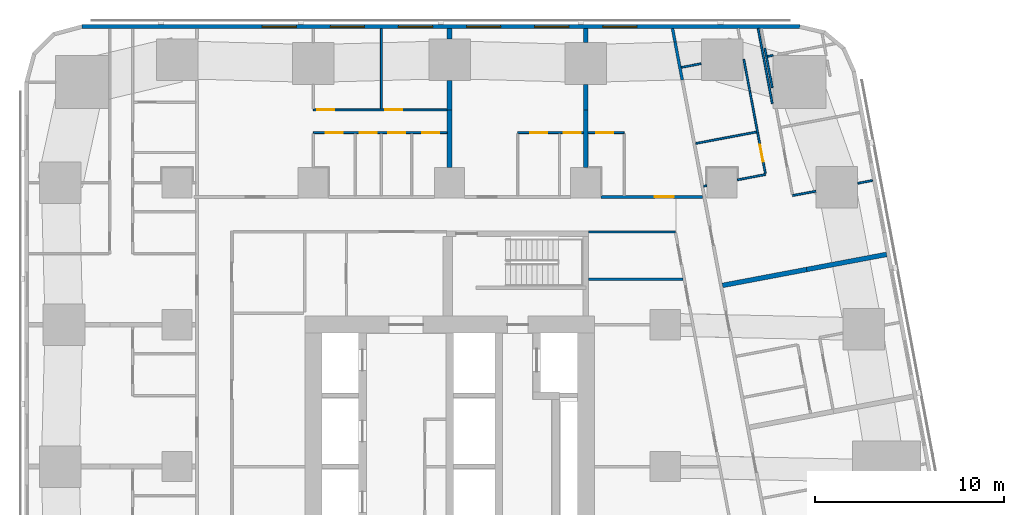
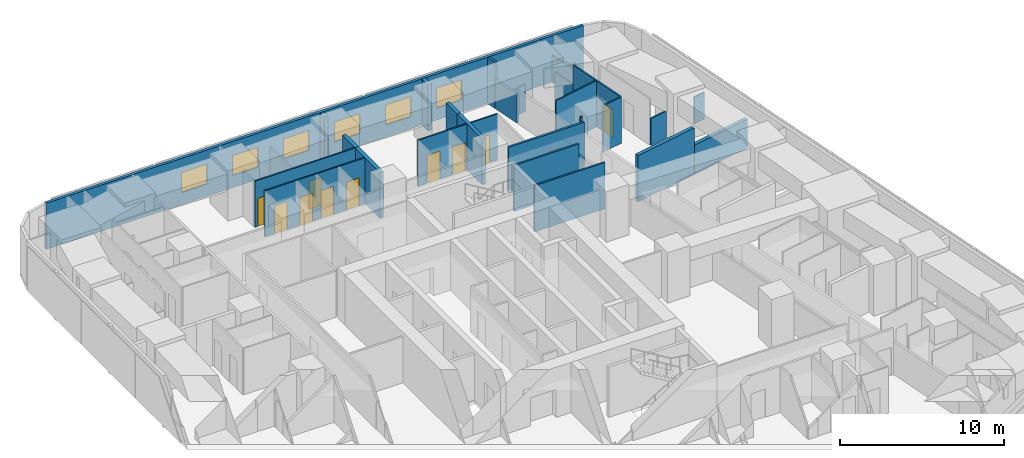
# One storey, part 9 of 14: 30 walls, 11 doors, 6 windows, 17 openings.
"""IFC4 building model written with IfcOpenShell, lengths in metres."""

from ifc_helpers import new_model, si_unit, direction, frame, frame_2d, origin, place, context, subcontext, project, spatial, rectangle, extrude, material, layer, layer_set, type_object, element, fill, save


model = new_model("IFC4")

# Units and contexts
model_context = context("Model", 3, precision=1e-05, world=origin(), true_north=direction((0.0, 1.0)))
body_context = subcontext(model_context, "Body", "Model", "MODEL_VIEW")
ifc_project = project(units=[si_unit("LENGTHUNIT", "METRE"), si_unit("AREAUNIT", "SQUARE_METRE"), si_unit("VOLUMEUNIT", "CUBIC_METRE"), si_unit("PLANEANGLEUNIT", "RADIAN"), si_unit("MASSUNIT", "GRAM", prefix="KILO")], contexts=[model_context])

# Site, building, storey
site_placement = place(None, origin())
site = spatial("IfcSite", under=ifc_project, at=site_placement, CompositionType="ELEMENT")
building_placement = place(site_placement, origin())
building = spatial("IfcBuilding", under=site, at=building_placement, Name="Sheger Commons Tower", CompositionType="ELEMENT")
storey_placement = place(building_placement, frame((0.0, 0.0, 126.64990234375)))
storey = spatial("IfcBuildingStorey", under=building, at=storey_placement, Name="L32", CompositionType="ELEMENT", Elevation=126.64990234375)

# Wall, opening, door
ifc_material_1 = material(Name="Hollow concrete block masonry, skimmed both sides", Category="masonry")
ifc_layer_1 = layer(ifc_material_1, 0.14990234375)
ifc_layer_set_1 = layer_set([ifc_layer_1], Name="CORRIDOR WALL 150")
wall_type_1 = type_object("IfcWallType", Name="CORRIDOR WALL 150", PredefinedType="SOLIDWALL", material=ifc_layer_set_1)
wall_1_placement = place(storey_placement, frame((29.60107421875, 36.75, 0.0), z_axis=(0.0, 0.0, 1.0), x_axis=(1.0, 0.0, 0.0)))
wall_1 = element("IfcWall", 1, at=wall_1_placement, inside=storey, type_object=wall_type_1, Name="Corridor wall L32", PredefinedType="SOLIDWALL", context=body_context, shape_type="SweptSolid", body=[
    extrude(rectangle(XDim=5.371826171875, YDim=0.14990234375, at=frame_2d((2.68603515625, 0.0))), origin(), (0.0, 0.0, 1.0), 3.4501953125),
])
opening_1_placement = place(wall_1_placement, frame((2.844970703125, 0.0, 0.0)))
opening_1 = element("IfcOpeningElement", 2, at=opening_1_placement, cuts=wall_1, Name="Opening D1", PredefinedType="OPENING", context=body_context, shape_type="SweptSolid", body=[
    extrude(rectangle(XDim=1.0, YDim=2.10009765625, at=frame_2d((0.5, 1.050048828125))), frame((0.0, 0.0849609375, 0.0), z_axis=(0.0, -1.0, 0.0), x_axis=(1.0, 0.0, 0.0)), (0.0, 0.0, 1.0), 0.169921875),
])
ifc_material_2 = material(Name="Steel door set, fire rated", Category="steel")
door_type_1 = type_object("IfcDoorType", Name="FLAT ENTRANCE DOOR 1000x2100", OperationType="NOTDEFINED", PredefinedType="DOOR", material=ifc_material_2)
door_1_placement = place(opening_1_placement, origin())
door_1 = element("IfcDoor", 3, at=door_1_placement, inside=storey, type_object=door_type_1, Name="Flat entrance door", OperationType="SINGLE_SWING_RIGHT", OverallHeight=2.10009765625, OverallWidth=1.0, PredefinedType="DOOR", context=body_context, shape_type="SweptSolid", body=[
    extrude(rectangle(XDim=1.0, YDim=2.10009765625, at=frame_2d((0.5, 1.050048828125))), frame((0.0, 0.02490234375, 0.0), z_axis=(0.0, -1.0, 0.0), x_axis=(1.0, 0.0, 0.0)), (0.0, 0.0, 1.0), 0.050048828125),
])
fill(opening_1, door_1)

# Walls
wall_2_placement = place(storey_placement, frame((33.382080078125, 45.64990234375, 0.0), z_axis=(0.0, 0.0, 1.0), x_axis=(0.18467796357, -0.98279908922, 0.0)))
element("IfcWall", 4, at=wall_2_placement, inside=storey, type_object=wall_type_1, Name="Corridor wall L32", PredefinedType="SOLIDWALL", context=body_context, shape_type="SweptSolid", body=[
    extrude(rectangle(XDim=0.71923828125, YDim=0.14990234375, at=frame_2d((0.359619140625, 0.0))), origin(), (0.0, 0.0, 1.0), 3.4501953125),
])
wall_3_placement = place(storey_placement, frame((33.514892578125, 44.943115234375, 0.0), z_axis=(0.0, 0.0, 1.0), x_axis=(0.185913421671, -0.982566129908, 0.0)))
element("IfcWall", 5, at=wall_3_placement, inside=storey, type_object=wall_type_1, Name="Corridor wall L32", PredefinedType="SOLIDWALL", context=body_context, shape_type="SweptSolid", body=[
    extrude(rectangle(XDim=2.0498046875, YDim=0.14990234375, at=frame_2d((1.02490234375, 0.0))), origin(), (0.0, 0.0, 1.0), 2.150146484375),
])
ifc_material_3 = material(Name="Dense concrete block masonry, plastered both sides (separating wall between flats)", Category="masonry")
ifc_layer_2 = layer(ifc_material_3, 0.25)
ifc_layer_set_2 = layer_set([ifc_layer_2], Name="DEMISING WALL 250")
wall_type_2 = type_object("IfcWallType", Name="DEMISING WALL 250", PredefinedType="SOLIDWALL", material=ifc_layer_set_2)
wall_4_placement = place(storey_placement, frame((44.693115234375, 33.712890625, 0.0), z_axis=(0.0, 0.0, 1.0), x_axis=(-0.982633535512, -0.185556823879, 0.0)))
element("IfcWall", 6, at=wall_4_placement, inside=storey, type_object=wall_type_2, Name="Demising wall L32", PredefinedType="SOLIDWALL", context=body_context, shape_type="SweptSolid", body=[
    extrude(rectangle(XDim=4.2998046875, YDim=0.25, at=frame_2d((2.14990234375, 0.0))), origin(), (0.0, 0.0, 1.0), 2.150146484375),
])
wall_5_placement = place(storey_placement, frame((40.468017578125, 32.9150390625, 0.0), z_axis=(0.0, 0.0, 1.0), x_axis=(-0.982612837616, -0.185666398014, 0.0)))
element("IfcWall", 7, at=wall_5_placement, inside=storey, type_object=wall_type_2, Name="Demising wall L32", PredefinedType="SOLIDWALL", context=body_context, shape_type="SweptSolid", body=[
    extrude(rectangle(XDim=4.524658203125, YDim=0.25, at=frame_2d((2.26220703125, 0.0))), origin(), (0.0, 0.0, 1.0), 3.4501953125),
])
wall_6_placement = place(storey_placement, frame((21.60009765625, 41.35009765625, 0.0), z_axis=(0.0, 0.0, 1.0), x_axis=(0.0, 1.0, 0.0)))
element("IfcWall", 8, at=wall_6_placement, inside=storey, type_object=wall_type_2, Name="Demising wall L32", PredefinedType="SOLIDWALL", context=body_context, shape_type="SweptSolid", body=[
    extrude(rectangle(XDim=1.548828125, YDim=0.25, at=frame_2d((0.7744140625, 0.0))), origin(), (0.0, 0.0, 1.0), 3.4501953125),
])
wall_7_placement = place(storey_placement, frame((21.60009765625, 45.10107421875, 0.0), z_axis=(0.0, 0.0, 1.0), x_axis=(0.0, 1.0, 0.0)))
element("IfcWall", 9, at=wall_7_placement, inside=storey, type_object=wall_type_2, Name="Demising wall L32", PredefinedType="SOLIDWALL", context=body_context, shape_type="SweptSolid", body=[
    extrude(rectangle(XDim=0.548828125, YDim=0.25, at=frame_2d((0.2744140625, 0.0))), origin(), (0.0, 0.0, 1.0), 3.4501953125),
])
wall_8_placement = place(storey_placement, frame((21.60009765625, 38.301025390625, 0.0), z_axis=(0.0, 0.0, 1.0), x_axis=(0.0, 1.0, 0.0)))
element("IfcWall", 10, at=wall_8_placement, inside=storey, type_object=wall_type_2, Name="Demising wall L32", PredefinedType="SOLIDWALL", context=body_context, shape_type="SweptSolid", body=[
    extrude(rectangle(XDim=3.049072265625, YDim=0.25, at=frame_2d((1.5244140625, 0.0))), origin(), (0.0, 0.0, 1.0), 3.4501953125),
])
wall_9_placement = place(storey_placement, frame((28.800048828125, 41.35009765625, 0.0), z_axis=(0.0, 0.0, 1.0), x_axis=(0.0, 1.0, 0.0)))
element("IfcWall", 11, at=wall_9_placement, inside=storey, type_object=wall_type_2, Name="Demising wall L32", PredefinedType="SOLIDWALL", context=body_context, shape_type="SweptSolid", body=[
    extrude(rectangle(XDim=1.348876953125, YDim=0.25, at=frame_2d((0.67431640625, 0.0))), origin(), (0.0, 0.0, 1.0), 3.4501953125),
])
wall_10_placement = place(storey_placement, frame((28.800048828125, 44.90087890625, 0.0), z_axis=(0.0, 0.0, 1.0), x_axis=(0.0, 1.0, 0.0)))
element("IfcWall", 12, at=wall_10_placement, inside=storey, type_object=wall_type_2, Name="Demising wall L32", PredefinedType="SOLIDWALL", context=body_context, shape_type="SweptSolid", body=[
    extrude(rectangle(XDim=0.7490234375, YDim=0.25, at=frame_2d((0.37451171875, 0.0))), origin(), (0.0, 0.0, 1.0), 3.4501953125),
])
wall_11_placement = place(storey_placement, frame((28.800048828125, 38.301025390625, 0.0), z_axis=(0.0, 0.0, 1.0), x_axis=(0.0, 1.0, 0.0)))
element("IfcWall", 13, at=wall_11_placement, inside=storey, type_object=wall_type_2, Name="Demising wall L32", PredefinedType="SOLIDWALL", context=body_context, shape_type="SweptSolid", body=[
    extrude(rectangle(XDim=3.049072265625, YDim=0.25, at=frame_2d((1.5244140625, 0.0))), origin(), (0.0, 0.0, 1.0), 3.4501953125),
])

# Wall, openings, windows
ifc_material_4 = material(Name="Rendered concrete block masonry, dark grey", Category="masonry")
ifc_layer_3 = layer(ifc_material_4, 0.199951171875)
ifc_layer_set_3 = layer_set([ifc_layer_3], Name="FACADE WALL 200")
wall_type_3 = type_object("IfcWallType", Name="FACADE WALL 200", PredefinedType="SOLIDWALL", material=ifc_layer_set_3)
wall_12_placement = place(storey_placement, frame((40.10595703125, 45.75, 0.0), z_axis=(0.0, 0.0, 1.0), x_axis=(-1.0, 0.0, 0.0)))
wall_12 = element("IfcWall", 14, at=wall_12_placement, inside=storey, type_object=wall_type_3, Name="Facade wall L32", PredefinedType="SOLIDWALL", context=body_context, shape_type="SweptSolid", body=[
    extrude(rectangle(XDim=37.94287109375, YDim=0.199951171875, at=frame_2d((18.971435546875, 0.0))), origin(), (0.0, 0.0, 1.0), 3.4501953125),
])
opening_2_placement = place(wall_12_placement, frame((8.60595703125, 0.0, 0.89990234375)))
opening_2 = element("IfcOpeningElement", 15, at=opening_2_placement, cuts=wall_12, Name="Opening W2", PredefinedType="OPENING", context=body_context, shape_type="SweptSolid", body=[
    extrude(rectangle(XDim=1.800048828125, YDim=1.5, at=frame_2d((0.89990234375, 0.75))), frame((0.0, 0.10986328125, 0.0), z_axis=(0.0, -1.0, 0.0), x_axis=(1.0, 0.0, 0.0)), (0.0, 0.0, 1.0), 0.219970703125),
])
opening_3_placement = place(wall_12_placement, frame((12.2060546875, 0.0, 0.89990234375)))
opening_3 = element("IfcOpeningElement", 16, at=opening_3_placement, cuts=wall_12, Name="Opening W2", PredefinedType="OPENING", context=body_context, shape_type="SweptSolid", body=[
    extrude(rectangle(XDim=1.800048828125, YDim=1.5, at=frame_2d((0.89990234375, 0.75))), frame((0.0, 0.10986328125, 0.0), z_axis=(0.0, -1.0, 0.0), x_axis=(1.0, 0.0, 0.0)), (0.0, 0.0, 1.0), 0.219970703125),
])
opening_4_placement = place(wall_12_placement, frame((15.805908203125, 0.0, 0.89990234375)))
opening_4 = element("IfcOpeningElement", 17, at=opening_4_placement, cuts=wall_12, Name="Opening W2", PredefinedType="OPENING", context=body_context, shape_type="SweptSolid", body=[
    extrude(rectangle(XDim=1.800048828125, YDim=1.5, at=frame_2d((0.89990234375, 0.75))), frame((0.0, 0.10986328125, 0.0), z_axis=(0.0, -1.0, 0.0), x_axis=(1.0, 0.0, 0.0)), (0.0, 0.0, 1.0), 0.219970703125),
])
opening_5_placement = place(wall_12_placement, frame((19.406005859375, 0.0, 0.89990234375)))
opening_5 = element("IfcOpeningElement", 18, at=opening_5_placement, cuts=wall_12, Name="Opening W2", PredefinedType="OPENING", context=body_context, shape_type="SweptSolid", body=[
    extrude(rectangle(XDim=1.800048828125, YDim=1.5, at=frame_2d((0.89990234375, 0.75))), frame((0.0, 0.10986328125, 0.0), z_axis=(0.0, -1.0, 0.0), x_axis=(1.0, 0.0, 0.0)), (0.0, 0.0, 1.0), 0.219970703125),
])
opening_6_placement = place(wall_12_placement, frame((23.006103515625, 0.0, 0.89990234375)))
opening_6 = element("IfcOpeningElement", 19, at=opening_6_placement, cuts=wall_12, Name="Opening W2", PredefinedType="OPENING", context=body_context, shape_type="SweptSolid", body=[
    extrude(rectangle(XDim=1.800048828125, YDim=1.5, at=frame_2d((0.89990234375, 0.75))), frame((0.0, 0.10986328125, 0.0), z_axis=(0.0, -1.0, 0.0), x_axis=(1.0, 0.0, 0.0)), (0.0, 0.0, 1.0), 0.219970703125),
])
opening_7_placement = place(wall_12_placement, frame((26.60595703125, 0.0, 0.89990234375)))
opening_7 = element("IfcOpeningElement", 20, at=opening_7_placement, cuts=wall_12, Name="Opening W2", PredefinedType="OPENING", context=body_context, shape_type="SweptSolid", body=[
    extrude(rectangle(XDim=1.800048828125, YDim=1.5, at=frame_2d((0.89990234375, 0.75))), frame((0.0, 0.10986328125, 0.0), z_axis=(0.0, -1.0, 0.0), x_axis=(1.0, 0.0, 0.0)), (0.0, 0.0, 1.0), 0.219970703125),
])
ifc_material_5 = material(Name="Black aluminium frame, dark tinted double glazing", Category="aluminium")
window_type = type_object("IfcWindowType", Name="WINDOW W2 1800x1500", PartitioningType="SINGLE_PANEL", PredefinedType="WINDOW", material=ifc_material_5)
window_1_placement = place(opening_2_placement, origin())
window_1 = element("IfcWindow", 21, at=window_1_placement, inside=storey, type_object=window_type, Name="Window W2 1800X1500", OverallHeight=1.5, OverallWidth=1.800048828125, PartitioningType="SINGLE_PANEL", PredefinedType="WINDOW", context=body_context, shape_type="SweptSolid", body=[
    extrude(rectangle(XDim=1.800048828125, YDim=1.5, at=frame_2d((0.89990234375, 0.75))), frame((0.0, 0.030029296875, 0.0), z_axis=(0.0, -1.0, 0.0), x_axis=(1.0, 0.0, 0.0)), (0.0, 0.0, 1.0), 0.06005859375),
])
fill(opening_2, window_1)
window_2_placement = place(opening_3_placement, origin())
window_2 = element("IfcWindow", 22, at=window_2_placement, inside=storey, type_object=window_type, Name="Window W2 1800X1500", OverallHeight=1.5, OverallWidth=1.800048828125, PartitioningType="SINGLE_PANEL", PredefinedType="WINDOW", context=body_context, shape_type="SweptSolid", body=[
    extrude(rectangle(XDim=1.800048828125, YDim=1.5, at=frame_2d((0.89990234375, 0.75))), frame((0.0, 0.030029296875, 0.0), z_axis=(0.0, -1.0, 0.0), x_axis=(1.0, 0.0, 0.0)), (0.0, 0.0, 1.0), 0.06005859375),
])
fill(opening_3, window_2)
window_3_placement = place(opening_4_placement, origin())
window_3 = element("IfcWindow", 23, at=window_3_placement, inside=storey, type_object=window_type, Name="Window W2 1800X1500", OverallHeight=1.5, OverallWidth=1.800048828125, PartitioningType="SINGLE_PANEL", PredefinedType="WINDOW", context=body_context, shape_type="SweptSolid", body=[
    extrude(rectangle(XDim=1.800048828125, YDim=1.5, at=frame_2d((0.89990234375, 0.75))), frame((0.0, 0.030029296875, 0.0), z_axis=(0.0, -1.0, 0.0), x_axis=(1.0, 0.0, 0.0)), (0.0, 0.0, 1.0), 0.06005859375),
])
fill(opening_4, window_3)
window_4_placement = place(opening_5_placement, origin())
window_4 = element("IfcWindow", 24, at=window_4_placement, inside=storey, type_object=window_type, Name="Window W2 1800X1500", OverallHeight=1.5, OverallWidth=1.800048828125, PartitioningType="SINGLE_PANEL", PredefinedType="WINDOW", context=body_context, shape_type="SweptSolid", body=[
    extrude(rectangle(XDim=1.800048828125, YDim=1.5, at=frame_2d((0.89990234375, 0.75))), frame((0.0, 0.030029296875, 0.0), z_axis=(0.0, -1.0, 0.0), x_axis=(1.0, 0.0, 0.0)), (0.0, 0.0, 1.0), 0.06005859375),
])
fill(opening_5, window_4)
window_5_placement = place(opening_6_placement, origin())
window_5 = element("IfcWindow", 25, at=window_5_placement, inside=storey, type_object=window_type, Name="Window W2 1800X1500", OverallHeight=1.5, OverallWidth=1.800048828125, PartitioningType="SINGLE_PANEL", PredefinedType="WINDOW", context=body_context, shape_type="SweptSolid", body=[
    extrude(rectangle(XDim=1.800048828125, YDim=1.5, at=frame_2d((0.89990234375, 0.75))), frame((0.0, 0.030029296875, 0.0), z_axis=(0.0, -1.0, 0.0), x_axis=(1.0, 0.0, 0.0)), (0.0, 0.0, 1.0), 0.06005859375),
])
fill(opening_6, window_5)
window_6_placement = place(opening_7_placement, origin())
window_6 = element("IfcWindow", 26, at=window_6_placement, inside=storey, type_object=window_type, Name="Window W2 1800X1500", OverallHeight=1.5, OverallWidth=1.800048828125, PartitioningType="SINGLE_PANEL", PredefinedType="WINDOW", context=body_context, shape_type="SweptSolid", body=[
    extrude(rectangle(XDim=1.800048828125, YDim=1.5, at=frame_2d((0.89990234375, 0.75))), frame((0.0, 0.030029296875, 0.0), z_axis=(0.0, -1.0, 0.0), x_axis=(1.0, 0.0, 0.0)), (0.0, 0.0, 1.0), 0.06005859375),
])
fill(opening_7, window_6)

# Walls
ifc_material_6 = material(Name="Gypsum board on steel studs", Category="steel")
ifc_layer_4 = layer(ifc_material_6, 0.10009765625)
ifc_layer_set_4 = layer_set([ifc_layer_4], Name="PARTITION 100")
wall_type_4 = type_object("IfcWallType", Name="PARTITION 100", PredefinedType="PARTITIONING", material=ifc_layer_set_4)
wall_13_placement = place(storey_placement, frame((38.654052734375, 41.68603515625, 0.0), z_axis=(0.0, 0.0, 1.0), x_axis=(-0.185676896978, 0.982610853761, 0.0)))
element("IfcWall", 27, at=wall_13_placement, inside=storey, type_object=wall_type_4, Name="Partition L32", PredefinedType="PARTITIONING", context=body_context, shape_type="SweptSolid", body=[
    extrude(rectangle(XDim=4.033935546875, YDim=0.10009765625, at=frame_2d((2.01708984375, 0.0))), origin(), (0.0, 0.0, 1.0), 2.0),
])
wall_14_placement = place(storey_placement, frame((38.256103515625, 44.6279296875, 0.0), z_axis=(0.0, 0.0, 1.0), x_axis=(0.185674153532, -0.982611372166, 0.0)))
element("IfcWall", 28, at=wall_14_placement, inside=storey, type_object=wall_type_4, Name="Partition L32", PredefinedType="PARTITIONING", context=body_context, shape_type="SweptSolid", body=[
    extrude(rectangle(XDim=2.137939453125, YDim=0.10009765625, at=frame_2d((1.06884765625, 0.0))), origin(), (0.0, 0.0, 1.0), 2.0),
])
wall_15_placement = place(storey_placement, frame((37.14892578125, 44.01806640625, 0.0), z_axis=(0.0, 0.0, 1.0), x_axis=(0.185712190756, -0.982604183893, 0.0)))
element("IfcWall", 29, at=wall_15_placement, inside=storey, type_object=wall_type_4, Name="Partition L32", PredefinedType="PARTITIONING", context=body_context, shape_type="SweptSolid", body=[
    extrude(rectangle(XDim=1.7392578125, YDim=0.10009765625, at=frame_2d((0.86962890625, 0.0))), origin(), (0.0, 0.0, 1.0), 2.0),
])

# Wall, opening, door
wall_16_placement = place(storey_placement, frame((37.471923828125, 42.30908203125, 0.0), z_axis=(0.0, 0.0, 1.0), x_axis=(0.185641287362, -0.982617581985, 0.0)))
wall_16 = element("IfcWall", 30, at=wall_16_placement, inside=storey, type_object=wall_type_4, Name="Partition L32", PredefinedType="PARTITIONING", context=body_context, shape_type="SweptSolid", body=[
    extrude(rectangle(XDim=4.401611328125, YDim=0.10009765625, at=frame_2d((2.20068359375, 0.0))), origin(), (0.0, 0.0, 1.0), 3.4501953125),
])
opening_8_placement = place(wall_16_placement, frame((2.85400390625, 0.0, 0.0)))
opening_8 = element("IfcOpeningElement", 31, at=opening_8_placement, cuts=wall_16, Name="Opening D2", PredefinedType="OPENING", context=body_context, shape_type="SweptSolid", body=[
    extrude(rectangle(XDim=0.89990234375, YDim=2.10009765625, at=frame_2d((0.449951171875, 1.050048828125))), frame((0.0, 0.06005859375, 0.0), z_axis=(0.0, -1.0, 0.0), x_axis=(1.0, 0.0, 0.0)), (0.0, 0.0, 1.0), 0.1201171875),
])
ifc_material_7 = material(Name="Timber door set", Category="wood")
door_type_2 = type_object("IfcDoorType", Name="INTERNAL DOOR 900x2100", OperationType="NOTDEFINED", PredefinedType="DOOR", material=ifc_material_7)
door_2_placement = place(opening_8_placement, origin())
door_2 = element("IfcDoor", 32, at=door_2_placement, inside=storey, type_object=door_type_2, Name="Bathroom door", OperationType="SINGLE_SWING_LEFT", OverallHeight=2.10009765625, OverallWidth=0.89990234375, PredefinedType="DOOR", context=body_context, shape_type="SweptSolid", body=[
    extrude(rectangle(XDim=0.89990234375, YDim=2.10009765625, at=frame_2d((0.449951171875, 1.050048828125))), frame((0.0, 0.02490234375, 0.0), z_axis=(0.0, -1.0, 0.0), x_axis=(1.0, 0.0, 0.0)), (0.0, 0.0, 1.0), 0.050048828125),
])
fill(opening_8, door_2)

# Walls
wall_17_placement = place(storey_placement, frame((38.69189453125, 44.22998046875, 0.0), z_axis=(0.0, 0.0, 1.0), x_axis=(-0.982944840311, -0.183900627803, 0.0)))
element("IfcWall", 33, at=wall_17_placement, inside=storey, type_object=wall_type_4, Name="Partition L32", PredefinedType="PARTITIONING", context=body_context, shape_type="SweptSolid", body=[
    extrude(rectangle(XDim=0.303955078125, YDim=0.10009765625, at=frame_2d((0.15185546875, 0.0))), origin(), (0.0, 0.0, 1.0), 2.0),
])
wall_18_placement = place(storey_placement, frame((43.955078125, 37.6201171875, 0.0), z_axis=(0.0, 0.0, 1.0), x_axis=(-0.98247004097, -0.186420542316, 0.0)))
element("IfcWall", 34, at=wall_18_placement, inside=storey, type_object=wall_type_4, Name="Partition L32", PredefinedType="PARTITIONING", context=body_context, shape_type="SweptSolid", body=[
    extrude(rectangle(XDim=0.794921875, YDim=0.10009765625, at=frame_2d((0.3974609375, 0.0))), origin(), (0.0, 0.0, 1.0), 2.0),
])
wall_19_placement = place(storey_placement, frame((40.9541015625, 37.052978515625, 0.0), z_axis=(0.0, 0.0, 1.0), x_axis=(-0.982663001154, -0.185400717808, 0.0)))
element("IfcWall", 35, at=wall_19_placement, inside=storey, type_object=wall_type_4, Name="Partition L32", PredefinedType="PARTITIONING", context=body_context, shape_type="SweptSolid", body=[
    extrude(rectangle(XDim=1.24560546875, YDim=0.10009765625, at=frame_2d((0.622802734375, 0.0))), origin(), (0.0, 0.0, 1.0), 2.0),
])
wall_20_placement = place(storey_placement, frame((34.889892578125, 43.791015625, 0.0), z_axis=(0.0, 0.0, 1.0), x_axis=(-0.982621304855, -0.185621580763, 0.0)))
element("IfcWall", 36, at=wall_20_placement, inside=storey, type_object=wall_type_4, Name="Partition L32", PredefinedType="PARTITIONING", context=body_context, shape_type="SweptSolid", body=[
    extrude(rectangle(XDim=1.0615234375, YDim=0.10009765625, at=frame_2d((0.53076171875, 0.0))), origin(), (0.0, 0.0, 1.0), 2.0),
])
wall_21_placement = place(storey_placement, frame((37.822998046875, 40.181884765625, 0.0), z_axis=(0.0, 0.0, 1.0), x_axis=(-0.982664729897, -0.18539155487, 0.0)))
element("IfcWall", 37, at=wall_21_placement, inside=storey, type_object=wall_type_4, Name="Partition L32", PredefinedType="PARTITIONING", context=body_context, shape_type="SweptSolid", body=[
    extrude(rectangle(XDim=3.273681640625, YDim=0.10009765625, at=frame_2d((1.63671875, 0.0))), origin(), (0.0, 0.0, 1.0), 3.4501953125),
])
wall_22_placement = place(storey_placement, frame((38.299072265625, 37.93505859375, 0.0), z_axis=(0.0, 0.0, 1.0), x_axis=(-0.982536828695, -0.186068213993, 0.0)))
element("IfcWall", 38, at=wall_22_placement, inside=storey, type_object=wall_type_4, Name="Partition L32", PredefinedType="PARTITIONING", context=body_context, shape_type="SweptSolid", body=[
    extrude(rectangle(XDim=1.515380859375, YDim=0.10009765625, at=frame_2d((0.7578125, 0.0))), origin(), (0.0, 0.0, 1.0), 3.4501953125),
])
wall_23_placement = place(storey_placement, frame((35.18994140625, 37.346923828125, 0.0), z_axis=(0.0, 0.0, 1.0), x_axis=(-0.982404955251, -0.186763229514, 0.0)))
element("IfcWall", 39, at=wall_23_placement, inside=storey, type_object=wall_type_4, Name="Partition L32", PredefinedType="PARTITIONING", context=body_context, shape_type="SweptSolid", body=[
    extrude(rectangle(XDim=0.160888671875, YDim=0.10009765625, at=frame_2d((0.08056640625, 0.0))), origin(), (0.0, 0.0, 1.0), 3.4501953125),
])

# Wall, openings, doors
wall_24_placement = place(storey_placement, frame((14.39990234375, 41.35009765625, 0.0), z_axis=(0.0, 0.0, 1.0), x_axis=(1.0, 0.0, 0.0)))
wall_24 = element("IfcWall", 40, at=wall_24_placement, inside=storey, type_object=wall_type_4, Name="Partition L32", PredefinedType="PARTITIONING", context=body_context, shape_type="SweptSolid", body=[
    extrude(rectangle(XDim=7.0751953125, YDim=0.10009765625, at=frame_2d((3.53759765625, 0.0))), origin(), (0.0, 0.0, 1.0), 3.4501953125),
])
opening_9_placement = place(wall_24_placement, frame((0.199951171875, 0.0, 0.0)))
opening_9 = element("IfcOpeningElement", 41, at=opening_9_placement, cuts=wall_24, Name="Opening D2", PredefinedType="OPENING", context=body_context, shape_type="SweptSolid", body=[
    extrude(rectangle(XDim=0.89990234375, YDim=2.10009765625, at=frame_2d((0.449951171875, 1.050048828125))), frame((0.0, 0.06005859375, 0.0), z_axis=(0.0, -1.0, 0.0), x_axis=(1.0, 0.0, 0.0)), (0.0, 0.0, 1.0), 0.1201171875),
])
opening_10_placement = place(wall_24_placement, frame((3.800048828125, 0.0, 0.0)))
opening_10 = element("IfcOpeningElement", 42, at=opening_10_placement, cuts=wall_24, Name="Opening D2", PredefinedType="OPENING", context=body_context, shape_type="SweptSolid", body=[
    extrude(rectangle(XDim=0.89990234375, YDim=2.10009765625, at=frame_2d((0.449951171875, 1.050048828125))), frame((0.0, 0.06005859375, 0.0), z_axis=(0.0, -1.0, 0.0), x_axis=(1.0, 0.0, 0.0)), (0.0, 0.0, 1.0), 0.1201171875),
])
door_3_placement = place(opening_9_placement, origin())
door_3 = element("IfcDoor", 43, at=door_3_placement, inside=storey, type_object=door_type_2, Name="Main bedroom door", OperationType="SINGLE_SWING_LEFT", OverallHeight=2.10009765625, OverallWidth=0.89990234375, PredefinedType="DOOR", context=body_context, shape_type="SweptSolid", body=[
    extrude(rectangle(XDim=0.89990234375, YDim=2.10009765625, at=frame_2d((0.449951171875, 1.050048828125))), frame((0.0, 0.02490234375, 0.0), z_axis=(0.0, -1.0, 0.0), x_axis=(1.0, 0.0, 0.0)), (0.0, 0.0, 1.0), 0.050048828125),
])
fill(opening_9, door_3)
door_4_placement = place(opening_10_placement, origin())
door_4 = element("IfcDoor", 44, at=door_4_placement, inside=storey, type_object=door_type_2, Name="Bedroom 2 door", OperationType="SINGLE_SWING_LEFT", OverallHeight=2.10009765625, OverallWidth=0.89990234375, PredefinedType="DOOR", context=body_context, shape_type="SweptSolid", body=[
    extrude(rectangle(XDim=0.89990234375, YDim=2.10009765625, at=frame_2d((0.449951171875, 1.050048828125))), frame((0.0, 0.02490234375, 0.0), z_axis=(0.0, -1.0, 0.0), x_axis=(1.0, 0.0, 0.0)), (0.0, 0.0, 1.0), 0.050048828125),
])
fill(opening_10, door_4)

wall_25_placement = place(storey_placement, frame((14.39990234375, 40.14990234375, 0.0), z_axis=(0.0, 0.0, 1.0), x_axis=(1.0, 0.0, 0.0)))
wall_25 = element("IfcWall", 45, at=wall_25_placement, inside=storey, type_object=wall_type_4, Name="Partition L32", PredefinedType="PARTITIONING", context=body_context, shape_type="SweptSolid", body=[
    extrude(rectangle(XDim=7.0751953125, YDim=0.10009765625, at=frame_2d((3.53759765625, 0.0))), origin(), (0.0, 0.0, 1.0), 3.4501953125),
])
opening_11_placement = place(wall_25_placement, frame((0.655029296875, 0.0, 0.0)))
opening_11 = element("IfcOpeningElement", 46, at=opening_11_placement, cuts=wall_25, Name="Opening D2", PredefinedType="OPENING", context=body_context, shape_type="SweptSolid", body=[
    extrude(rectangle(XDim=0.89990234375, YDim=2.10009765625, at=frame_2d((0.449951171875, 1.050048828125))), frame((0.0, 0.06005859375, 0.0), z_axis=(0.0, -1.0, 0.0), x_axis=(1.0, 0.0, 0.0)), (0.0, 0.0, 1.0), 0.1201171875),
])
opening_12_placement = place(wall_25_placement, frame((3.949951171875, 0.0, 0.0)))
opening_12 = element("IfcOpeningElement", 47, at=opening_12_placement, cuts=wall_25, Name="Opening D2", PredefinedType="OPENING", context=body_context, shape_type="SweptSolid", body=[
    extrude(rectangle(XDim=0.89990234375, YDim=2.10009765625, at=frame_2d((0.449951171875, 1.050048828125))), frame((0.0, 0.06005859375, 0.0), z_axis=(0.0, -1.0, 0.0), x_axis=(1.0, 0.0, 0.0)), (0.0, 0.0, 1.0), 0.1201171875),
])
opening_13_placement = place(wall_25_placement, frame((2.455078125, 0.0, 0.0)))
opening_13 = element("IfcOpeningElement", 48, at=opening_13_placement, cuts=wall_25, Name="Opening D2", PredefinedType="OPENING", context=body_context, shape_type="SweptSolid", body=[
    extrude(rectangle(XDim=0.89990234375, YDim=2.10009765625, at=frame_2d((0.449951171875, 1.050048828125))), frame((0.0, 0.06005859375, 0.0), z_axis=(0.0, -1.0, 0.0), x_axis=(1.0, 0.0, 0.0)), (0.0, 0.0, 1.0), 0.1201171875),
])
opening_14_placement = place(wall_25_placement, frame((5.75, 0.0, 0.0)))
opening_14 = element("IfcOpeningElement", 49, at=opening_14_placement, cuts=wall_25, Name="Opening D2", PredefinedType="OPENING", context=body_context, shape_type="SweptSolid", body=[
    extrude(rectangle(XDim=0.89990234375, YDim=2.10009765625, at=frame_2d((0.449951171875, 1.050048828125))), frame((0.0, 0.06005859375, 0.0), z_axis=(0.0, -1.0, 0.0), x_axis=(1.0, 0.0, 0.0)), (0.0, 0.0, 1.0), 0.1201171875),
])
door_5_placement = place(opening_11_placement, origin())
door_5 = element("IfcDoor", 50, at=door_5_placement, inside=storey, type_object=door_type_2, Name="Bathroom door", OperationType="SINGLE_SWING_RIGHT", OverallHeight=2.10009765625, OverallWidth=0.89990234375, PredefinedType="DOOR", context=body_context, shape_type="SweptSolid", body=[
    extrude(rectangle(XDim=0.89990234375, YDim=2.10009765625, at=frame_2d((0.449951171875, 1.050048828125))), frame((0.0, 0.02490234375, 0.0), z_axis=(0.0, -1.0, 0.0), x_axis=(1.0, 0.0, 0.0)), (0.0, 0.0, 1.0), 0.050048828125),
])
fill(opening_11, door_5)
door_6_placement = place(opening_12_placement, origin())
door_6 = element("IfcDoor", 51, at=door_6_placement, inside=storey, type_object=door_type_2, Name="Shower room door", OperationType="SINGLE_SWING_RIGHT", OverallHeight=2.10009765625, OverallWidth=0.89990234375, PredefinedType="DOOR", context=body_context, shape_type="SweptSolid", body=[
    extrude(rectangle(XDim=0.89990234375, YDim=2.10009765625, at=frame_2d((0.449951171875, 1.050048828125))), frame((0.0, 0.02490234375, 0.0), z_axis=(0.0, -1.0, 0.0), x_axis=(1.0, 0.0, 0.0)), (0.0, 0.0, 1.0), 0.050048828125),
])
fill(opening_12, door_6)
door_7_placement = place(opening_13_placement, origin())
door_7 = element("IfcDoor", 52, at=door_7_placement, inside=storey, type_object=door_type_2, Name="Store door", OperationType="SINGLE_SWING_RIGHT", OverallHeight=2.10009765625, OverallWidth=0.89990234375, PredefinedType="DOOR", context=body_context, shape_type="SweptSolid", body=[
    extrude(rectangle(XDim=0.89990234375, YDim=2.10009765625, at=frame_2d((0.449951171875, 1.050048828125))), frame((0.0, 0.02490234375, 0.0), z_axis=(0.0, -1.0, 0.0), x_axis=(1.0, 0.0, 0.0)), (0.0, 0.0, 1.0), 0.050048828125),
])
fill(opening_13, door_7)
door_8_placement = place(opening_14_placement, origin())
door_8 = element("IfcDoor", 53, at=door_8_placement, inside=storey, type_object=door_type_2, Name="Store door", OperationType="SINGLE_SWING_LEFT", OverallHeight=2.10009765625, OverallWidth=0.89990234375, PredefinedType="DOOR", context=body_context, shape_type="SweptSolid", body=[
    extrude(rectangle(XDim=0.89990234375, YDim=2.10009765625, at=frame_2d((0.449951171875, 1.050048828125))), frame((0.0, 0.02490234375, 0.0), z_axis=(0.0, -1.0, 0.0), x_axis=(1.0, 0.0, 0.0)), (0.0, 0.0, 1.0), 0.050048828125),
])
fill(opening_14, door_8)

# Wall
wall_26_placement = place(storey_placement, frame((18.0, 41.39990234375, 0.0), z_axis=(0.0, 0.0, 1.0), x_axis=(0.0, 1.0, 0.0)))
element("IfcWall", 54, at=wall_26_placement, inside=storey, type_object=wall_type_4, Name="Partition L32", PredefinedType="PARTITIONING", context=body_context, shape_type="SweptSolid", body=[
    extrude(rectangle(XDim=4.25, YDim=0.10009765625, at=frame_2d((2.125, 0.0))), origin(), (0.0, 0.0, 1.0), 2.150146484375),
])

# Wall, openings, doors
wall_27_placement = place(storey_placement, frame((25.199951171875, 40.14990234375, 0.0), z_axis=(0.0, 0.0, 1.0), x_axis=(1.0, 0.0, 0.0)))
wall_27 = element("IfcWall", 55, at=wall_27_placement, inside=storey, type_object=wall_type_4, Name="Partition L32", PredefinedType="PARTITIONING", context=body_context, shape_type="SweptSolid", body=[
    extrude(rectangle(XDim=3.47509765625, YDim=0.10009765625, at=frame_2d((1.737548828125, 0.0))), origin(), (0.0, 0.0, 1.0), 3.4501953125),
])
opening_15_placement = place(wall_27_placement, frame((0.655029296875, 0.0, 0.0)))
opening_15 = element("IfcOpeningElement", 56, at=opening_15_placement, cuts=wall_27, Name="Opening D2", PredefinedType="OPENING", context=body_context, shape_type="SweptSolid", body=[
    extrude(rectangle(XDim=0.89990234375, YDim=2.10009765625, at=frame_2d((0.449951171875, 1.050048828125))), frame((0.0, 0.06005859375, 0.0), z_axis=(0.0, -1.0, 0.0), x_axis=(1.0, 0.0, 0.0)), (0.0, 0.0, 1.0), 0.1201171875),
])
opening_16_placement = place(wall_27_placement, frame((2.425048828125, 0.0, 0.0)))
opening_16 = element("IfcOpeningElement", 57, at=opening_16_placement, cuts=wall_27, Name="Opening D2", PredefinedType="OPENING", context=body_context, shape_type="SweptSolid", body=[
    extrude(rectangle(XDim=0.89990234375, YDim=2.10009765625, at=frame_2d((0.449951171875, 1.050048828125))), frame((0.0, 0.06005859375, 0.0), z_axis=(0.0, -1.0, 0.0), x_axis=(1.0, 0.0, 0.0)), (0.0, 0.0, 1.0), 0.1201171875),
])
door_9_placement = place(opening_15_placement, origin())
door_9 = element("IfcDoor", 58, at=door_9_placement, inside=storey, type_object=door_type_2, Name="Bathroom door", OperationType="SINGLE_SWING_RIGHT", OverallHeight=2.10009765625, OverallWidth=0.89990234375, PredefinedType="DOOR", context=body_context, shape_type="SweptSolid", body=[
    extrude(rectangle(XDim=0.89990234375, YDim=2.10009765625, at=frame_2d((0.449951171875, 1.050048828125))), frame((0.0, 0.02490234375, 0.0), z_axis=(0.0, -1.0, 0.0), x_axis=(1.0, 0.0, 0.0)), (0.0, 0.0, 1.0), 0.050048828125),
])
fill(opening_15, door_9)
door_10_placement = place(opening_16_placement, origin())
door_10 = element("IfcDoor", 59, at=door_10_placement, inside=storey, type_object=door_type_2, Name="Store door", OperationType="SINGLE_SWING_LEFT", OverallHeight=2.10009765625, OverallWidth=0.89990234375, PredefinedType="DOOR", context=body_context, shape_type="SweptSolid", body=[
    extrude(rectangle(XDim=0.89990234375, YDim=2.10009765625, at=frame_2d((0.449951171875, 1.050048828125))), frame((0.0, 0.02490234375, 0.0), z_axis=(0.0, -1.0, 0.0), x_axis=(1.0, 0.0, 0.0)), (0.0, 0.0, 1.0), 0.050048828125),
])
fill(opening_16, door_10)

# Wall, opening, door
wall_28_placement = place(storey_placement, frame((28.925048828125, 40.14990234375, 0.0), z_axis=(0.0, 0.0, 1.0), x_axis=(1.0, 0.0, 0.0)))
wall_28 = element("IfcWall", 60, at=wall_28_placement, inside=storey, type_object=wall_type_4, Name="Partition L32", PredefinedType="PARTITIONING", context=body_context, shape_type="SweptSolid", body=[
    extrude(rectangle(XDim=1.904052734375, YDim=0.10009765625, at=frame_2d((0.9521484375, 0.0))), origin(), (0.0, 0.0, 1.0), 3.4501953125),
])
opening_17_placement = place(wall_28_placement, frame((0.425048828125, 0.0, 0.0)))
opening_17 = element("IfcOpeningElement", 61, at=opening_17_placement, cuts=wall_28, Name="Opening D2", PredefinedType="OPENING", context=body_context, shape_type="SweptSolid", body=[
    extrude(rectangle(XDim=0.89990234375, YDim=2.10009765625, at=frame_2d((0.449951171875, 1.050048828125))), frame((0.0, 0.06005859375, 0.0), z_axis=(0.0, -1.0, 0.0), x_axis=(1.0, 0.0, 0.0)), (0.0, 0.0, 1.0), 0.1201171875),
])
door_11_placement = place(opening_17_placement, origin())
door_11 = element("IfcDoor", 62, at=door_11_placement, inside=storey, type_object=door_type_2, Name="Shower room door", OperationType="SINGLE_SWING_RIGHT", OverallHeight=2.10009765625, OverallWidth=0.89990234375, PredefinedType="DOOR", context=body_context, shape_type="SweptSolid", body=[
    extrude(rectangle(XDim=0.89990234375, YDim=2.10009765625, at=frame_2d((0.449951171875, 1.050048828125))), frame((0.0, 0.02490234375, 0.0), z_axis=(0.0, -1.0, 0.0), x_axis=(1.0, 0.0, 0.0)), (0.0, 0.0, 1.0), 0.050048828125),
])
fill(opening_17, door_11)

# Walls
ifc_material_8 = material(Name="Gypsum board on steel studs, two layers each side, fire rated", Category="steel")
ifc_layer_5 = layer(ifc_material_8, 0.125)
ifc_layer_set_5 = layer_set([ifc_layer_5], Name="SERVICE WALL 125")
wall_type_5 = type_object("IfcWallType", Name="SERVICE WALL 125", PredefinedType="PARTITIONING", material=ifc_layer_set_5)
wall_29_placement = place(storey_placement, frame((28.949951171875, 34.89990234375, 0.0), z_axis=(0.0, 0.0, 1.0), x_axis=(1.0, 0.0, 0.0)))
element("IfcWall", 63, at=wall_29_placement, inside=storey, type_object=wall_type_5, Name="Service room wall L32", PredefinedType="PARTITIONING", context=body_context, shape_type="SweptSolid", body=[
    extrude(rectangle(XDim=4.588134765625, YDim=0.125, at=frame_2d((2.2939453125, 0.0))), origin(), (0.0, 0.0, 1.0), 3.4501953125),
])
wall_30_placement = place(storey_placement, frame((28.949951171875, 32.39990234375, 0.0), z_axis=(0.0, 0.0, 1.0), x_axis=(1.0, 0.0, 0.0)))
element("IfcWall", 64, at=wall_30_placement, inside=storey, type_object=wall_type_5, Name="Service room wall L32", PredefinedType="PARTITIONING", context=body_context, shape_type="SweptSolid", body=[
    extrude(rectangle(XDim=4.97607421875, YDim=0.125, at=frame_2d((2.488037109375, 0.0))), origin(), (0.0, 0.0, 1.0), 3.4501953125),
])

save(model, "model.ifc")
